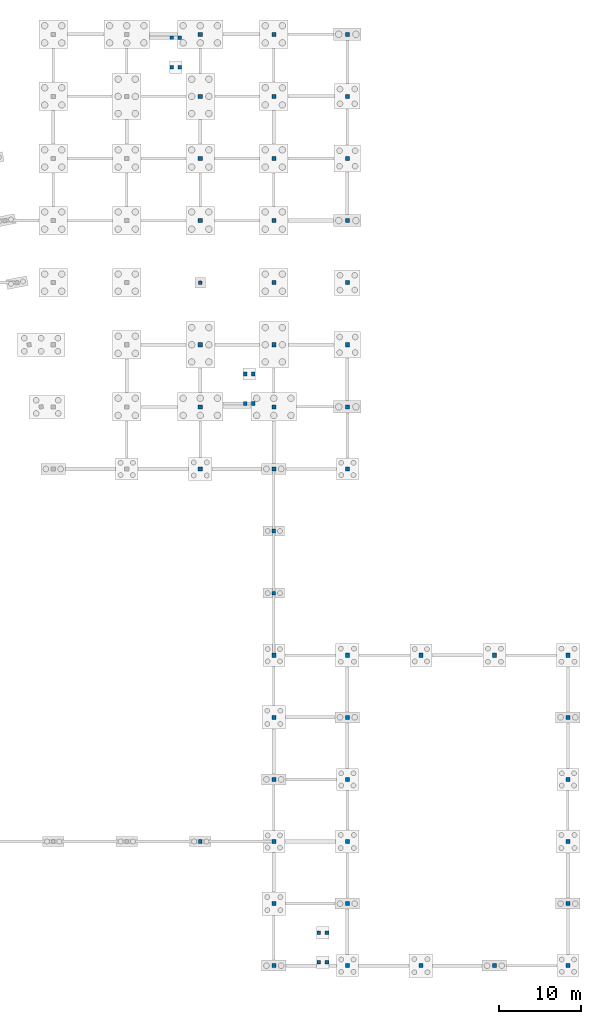
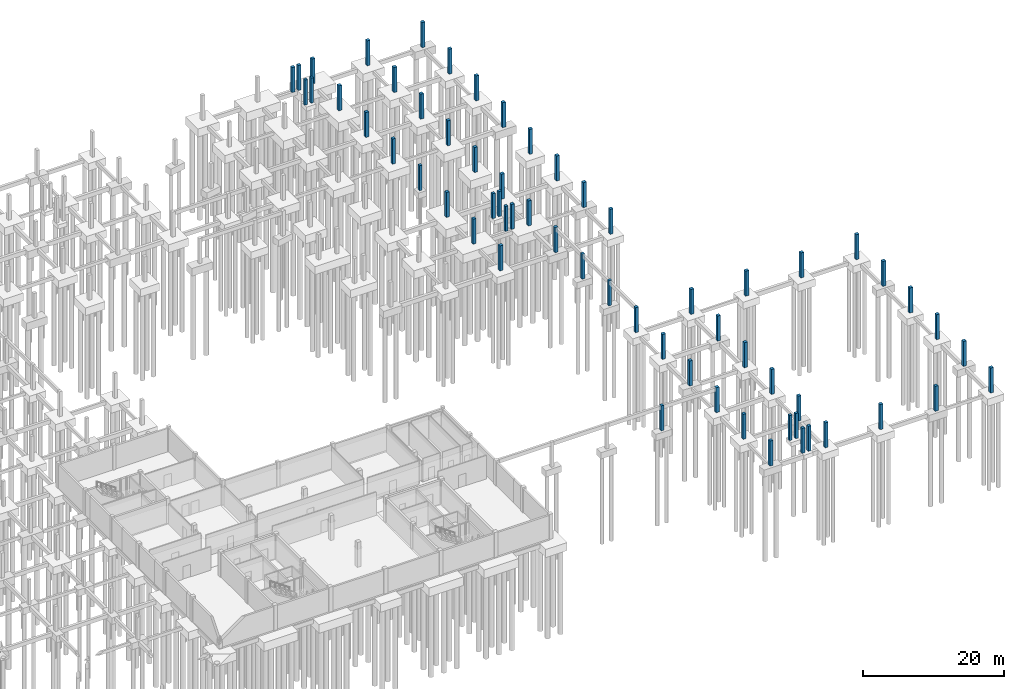
# One storey, part 21 of 28: 61 columns.
"""IFC4 building model written with IfcOpenShell, lengths in metres."""

from ifc_helpers import new_model, si_unit, direction, frame, origin, origin_2d, place, context, subcontext, project, spatial, rectangle, extrude, material, material_profile, profile_set, type_object, element, save


model = new_model("IFC4")

# Units and contexts
model_context = context("Model", 3, precision=1e-05, world=origin(), true_north=direction((0.0, 1.0)))
body_context = subcontext(model_context, "Body", "Model", "MODEL_VIEW")
ifc_project = project(units=[si_unit("LENGTHUNIT", "METRE"), si_unit("AREAUNIT", "SQUARE_METRE"), si_unit("VOLUMEUNIT", "CUBIC_METRE"), si_unit("PLANEANGLEUNIT", "RADIAN"), si_unit("MASSUNIT", "GRAM", prefix="KILO")], contexts=[model_context])

# Site, building, storey
site_placement = place(None, origin())
site = spatial("IfcSite", under=ifc_project, at=site_placement, CompositionType="ELEMENT")
building_placement = place(site_placement, origin())
building = spatial("IfcBuilding", under=site, at=building_placement, Name="Caisbarro Railhouse Central Library", CompositionType="ELEMENT")
storey_placement = place(building_placement, frame((0.0, 0.0, -4.320068359375)))
storey = spatial("IfcBuildingStorey", under=building, at=storey_placement, Name="B01", CompositionType="ELEMENT", Elevation=-4.320068359375)

# Columns
ifc_material = material(Name="Concrete C40", Category="concrete")
ifc_material_profile_1 = material_profile(ifc_material, rectangle(XDim=0.449951171875, YDim=0.449951171875, at=origin_2d()), Name="RC-COL-450X450")
ifc_profile_set_1 = profile_set([ifc_material_profile_1], Name="Concrete C40")
column_type_1 = type_object("IfcColumnType", Name="COL-RC45", PredefinedType="COLUMN", material=ifc_profile_set_1)
for number, where, z_axis, x_axis, name in (
    (1, (135.0, 83.60009765625, 0.0), (0.0, 0.0, 1.0), (1.0, 0.0, 0.0), "RC45 column B01 (135.0,83.6)"),
    (2, (135.0, 15.199951171875, 0.0), (0.0, 0.0, 1.0), (1.0, 0.0, 0.0), "RC45 grade link pier 4"),
    (3, (144.0, 45.60009765625, 0.0), (0.0, 0.0, 1.0), (1.0, 0.0, 0.0), "RC45 grade link pier 5"),
    (4, (144.0, 53.199951171875, 0.0), (0.0, 0.0, 1.0), (1.0, 0.0, 0.0), "RC45 grade link pier 6"),
    (5, (131.5, 109.969970703125, 0.0), (0.0, 0.0, 1.0), (1.0, 0.0, 0.0), "RC45 Stair Foundation Pier K3.1"),
    (6, (131.5, 113.580078125, 0.0), (0.0, 0.0, 1.0), (1.0, 0.0, 0.0), "RC45 Stair Foundation Pier K3.2"),
    (7, (132.5, 109.969970703125, 0.0), (0.0, 0.0, 1.0), (1.0, 0.0, 0.0), "RC45 Stair Foundation Pier K3.3"),
    (8, (132.5, 113.580078125, 0.0), (0.0, 0.0, 1.0), (1.0, 0.0, 0.0), "RC45 Stair Foundation Pier K3.4"),
    (9, (140.5, 68.820068359375, 0.0), (0.0, 0.0, 1.0), (1.0, 0.0, 0.0), "RC45 Stair Foundation Pier K7.1"),
    (10, (140.5, 72.429931640625, 0.0), (0.0, 0.0, 1.0), (1.0, 0.0, 0.0), "RC45 Stair Foundation Pier K7.2"),
    (11, (141.5, 68.820068359375, 0.0), (0.0, 0.0, 1.0), (1.0, 0.0, 0.0), "RC45 Stair Foundation Pier K7.3"),
    (12, (141.5, 72.429931640625, 0.0), (0.0, 0.0, 1.0), (1.0, 0.0, 0.0), "RC45 Stair Foundation Pier K7.4"),
    (13, (149.5, 0.419921875, 0.0), (0.0, 0.0, 1.0), (1.0, 0.0, 0.0), "RC45 Stair Foundation Pier K9.1"),
    (14, (149.5, 4.030029296875, 0.0), (0.0, 0.0, 1.0), (1.0, 0.0, 0.0), "RC45 Stair Foundation Pier K9.2"),
    (15, (150.5, 0.419921875, 0.0), (0.0, 0.0, 1.0), (1.0, 0.0, 0.0), "RC45 Stair Foundation Pier K9.3"),
    (16, (150.5, 4.030029296875, 0.0), (0.0, 0.0, 1.0), (1.0, 0.0, 0.0), "RC45 Stair Foundation Pier K9.4"),
):
    element("IfcColumn", number, at=place(storey_placement, frame(where, z_axis=z_axis, x_axis=x_axis)), inside=storey, type_object=column_type_1, Name=name, PredefinedType="COLUMN", context=body_context, shape_type="SweptSolid", body=[
        extrude(rectangle(XDim=0.449951171875, YDim=0.449951171875, at=origin_2d()), origin(), (0.0, 0.0, 1.0), 4.320068359375),
    ])
ifc_material_profile_2 = material_profile(ifc_material, rectangle(XDim=0.5, YDim=0.5, at=origin_2d()), Name="RC-COL-500X500")
ifc_profile_set_2 = profile_set([ifc_material_profile_2], Name="Concrete C40")
column_type_2 = type_object("IfcColumnType", Name="COL-RC50", PredefinedType="COLUMN", material=ifc_profile_set_2)
for number, where, z_axis, x_axis, name in (
    (17, (135.0, 60.800048828125, 0.0), (0.0, 0.0, 1.0), (1.0, 0.0, 0.0), "RC50 column B01 (135.0,60.8)"),
    (18, (135.0, 68.39990234375, 0.0), (0.0, 0.0, 1.0), (1.0, 0.0, 0.0), "RC50 column B01 (135.0,68.4)"),
    (19, (135.0, 76.0, 0.0), (0.0, 0.0, 1.0), (1.0, 0.0, 0.0), "RC50 column B01 (135.0,76.0)"),
    (20, (135.0, 91.199951171875, 0.0), (0.0, 0.0, 1.0), (1.0, 0.0, 0.0), "RC50 column B01 (135.0,91.2)"),
    (21, (135.0, 98.800048828125, 0.0), (0.0, 0.0, 1.0), (1.0, 0.0, 0.0), "RC50 column B01 (135.0,98.8)"),
    (22, (135.0, 106.39990234375, 0.0), (0.0, 0.0, 1.0), (1.0, 0.0, 0.0), "RC50 column B01 (135.0,106.4)"),
    (23, (135.0, 114.0, 0.0), (0.0, 0.0, 1.0), (1.0, 0.0, 0.0), "RC50 column B01 (135.0,114.0)"),
    (24, (144.0, 0.0, 0.0), (0.0, 0.0, 1.0), (1.0, 0.0, 0.0), "RC50 column B01 (144.0,0.0)"),
    (25, (144.0, 7.60009765625, 0.0), (0.0, 0.0, 1.0), (1.0, 0.0, 0.0), "RC50 column B01 (144.0,7.6)"),
    (26, (144.0, 15.199951171875, 0.0), (0.0, 0.0, 1.0), (1.0, 0.0, 0.0), "RC50 column B01 (144.0,15.2)"),
    (27, (144.0, 22.800048828125, 0.0), (0.0, 0.0, 1.0), (1.0, 0.0, 0.0), "RC50 column B01 (144.0,22.8)"),
    (28, (144.0, 30.39990234375, 0.0), (0.0, 0.0, 1.0), (1.0, 0.0, 0.0), "RC50 column B01 (144.0,30.4)"),
    (29, (144.0, 38.0, 0.0), (0.0, 0.0, 1.0), (1.0, 0.0, 0.0), "RC50 column B01 (144.0,38.0)"),
    (30, (144.0, 60.800048828125, 0.0), (0.0, 0.0, 1.0), (1.0, 0.0, 0.0), "RC50 column B01 (144.0,60.8)"),
    (31, (144.0, 68.39990234375, 0.0), (0.0, 0.0, 1.0), (1.0, 0.0, 0.0), "RC50 column B01 (144.0,68.4)"),
    (32, (144.0, 76.0, 0.0), (0.0, 0.0, 1.0), (1.0, 0.0, 0.0), "RC50 column B01 (144.0,76.0)"),
    (33, (144.0, 83.60009765625, 0.0), (0.0, 0.0, 1.0), (1.0, 0.0, 0.0), "RC50 column B01 (144.0,83.6)"),
    (34, (144.0, 91.199951171875, 0.0), (0.0, 0.0, 1.0), (1.0, 0.0, 0.0), "RC50 column B01 (144.0,91.2)"),
    (35, (144.0, 98.800048828125, 0.0), (0.0, 0.0, 1.0), (1.0, 0.0, 0.0), "RC50 column B01 (144.0,98.8)"),
    (36, (144.0, 106.39990234375, 0.0), (0.0, 0.0, 1.0), (1.0, 0.0, 0.0), "RC50 column B01 (144.0,106.4)"),
    (37, (144.0, 114.0, 0.0), (0.0, 0.0, 1.0), (1.0, 0.0, 0.0), "RC50 column B01 (144.0,114.0)"),
    (38, (153.0, 0.0, 0.0), (0.0, 0.0, 1.0), (1.0, 0.0, 0.0), "RC50 column B01 (153.0,0.0)"),
    (39, (153.0, 7.60009765625, 0.0), (0.0, 0.0, 1.0), (1.0, 0.0, 0.0), "RC50 column B01 (153.0,7.6)"),
    (40, (153.0, 15.199951171875, 0.0), (0.0, 0.0, 1.0), (1.0, 0.0, 0.0), "RC50 column B01 (153.0,15.2)"),
    (41, (153.0, 22.800048828125, 0.0), (0.0, 0.0, 1.0), (1.0, 0.0, 0.0), "RC50 column B01 (153.0,22.8)"),
    (42, (153.0, 30.39990234375, 0.0), (0.0, 0.0, 1.0), (1.0, 0.0, 0.0), "RC50 column B01 (153.0,30.4)"),
    (43, (153.0, 38.0, 0.0), (0.0, 0.0, 1.0), (1.0, 0.0, 0.0), "RC50 column B01 (153.0,38.0)"),
    (44, (153.0, 60.800048828125, 0.0), (0.0, 0.0, 1.0), (1.0, 0.0, 0.0), "RC50 column B01 (153.0,60.8)"),
    (45, (153.0, 68.39990234375, 0.0), (0.0, 0.0, 1.0), (1.0, 0.0, 0.0), "RC50 column B01 (153.0,68.4)"),
    (46, (153.0, 76.0, 0.0), (0.0, 0.0, 1.0), (1.0, 0.0, 0.0), "RC50 column B01 (153.0,76.0)"),
    (47, (153.0, 83.60009765625, 0.0), (0.0, 0.0, 1.0), (1.0, 0.0, 0.0), "RC50 column B01 (153.0,83.6)"),
    (48, (153.0, 91.199951171875, 0.0), (0.0, 0.0, 1.0), (1.0, 0.0, 0.0), "RC50 column B01 (153.0,91.2)"),
    (49, (153.0, 98.800048828125, 0.0), (0.0, 0.0, 1.0), (1.0, 0.0, 0.0), "RC50 column B01 (153.0,98.8)"),
    (50, (153.0, 106.39990234375, 0.0), (0.0, 0.0, 1.0), (1.0, 0.0, 0.0), "RC50 column B01 (153.0,106.4)"),
    (51, (153.0, 114.0, 0.0), (0.0, 0.0, 1.0), (1.0, 0.0, 0.0), "RC50 column B01 (153.0,114.0)"),
    (52, (162.0, 0.0, 0.0), (0.0, 0.0, 1.0), (1.0, 0.0, 0.0), "RC50 column B01 (162.0,0.0)"),
    (53, (162.0, 38.0, 0.0), (0.0, 0.0, 1.0), (1.0, 0.0, 0.0), "RC50 column B01 (162.0,38.0)"),
    (54, (171.0, 0.0, 0.0), (0.0, 0.0, 1.0), (1.0, 0.0, 0.0), "RC50 column B01 (171.0,0.0)"),
    (55, (171.0, 38.0, 0.0), (0.0, 0.0, 1.0), (1.0, 0.0, 0.0), "RC50 column B01 (171.0,38.0)"),
    (56, (180.0, 0.0, 0.0), (0.0, 0.0, 1.0), (1.0, 0.0, 0.0), "RC50 column B01 (180.0,0.0)"),
    (57, (180.0, 7.60009765625, 0.0), (0.0, 0.0, 1.0), (1.0, 0.0, 0.0), "RC50 column B01 (180.0,7.6)"),
    (58, (180.0, 15.199951171875, 0.0), (0.0, 0.0, 1.0), (1.0, 0.0, 0.0), "RC50 column B01 (180.0,15.2)"),
    (59, (180.0, 22.800048828125, 0.0), (0.0, 0.0, 1.0), (1.0, 0.0, 0.0), "RC50 column B01 (180.0,22.8)"),
    (60, (180.0, 30.39990234375, 0.0), (0.0, 0.0, 1.0), (1.0, 0.0, 0.0), "RC50 column B01 (180.0,30.4)"),
    (61, (180.0, 38.0, 0.0), (0.0, 0.0, 1.0), (1.0, 0.0, 0.0), "RC50 column B01 (180.0,38.0)"),
):
    element("IfcColumn", number, at=place(storey_placement, frame(where, z_axis=z_axis, x_axis=x_axis)), inside=storey, type_object=column_type_2, Name=name, PredefinedType="COLUMN", context=body_context, shape_type="SweptSolid", body=[
        extrude(rectangle(XDim=0.5, YDim=0.5, at=origin_2d()), origin(), (0.0, 0.0, 1.0), 4.320068359375),
    ])

save(model, "model.ifc")
